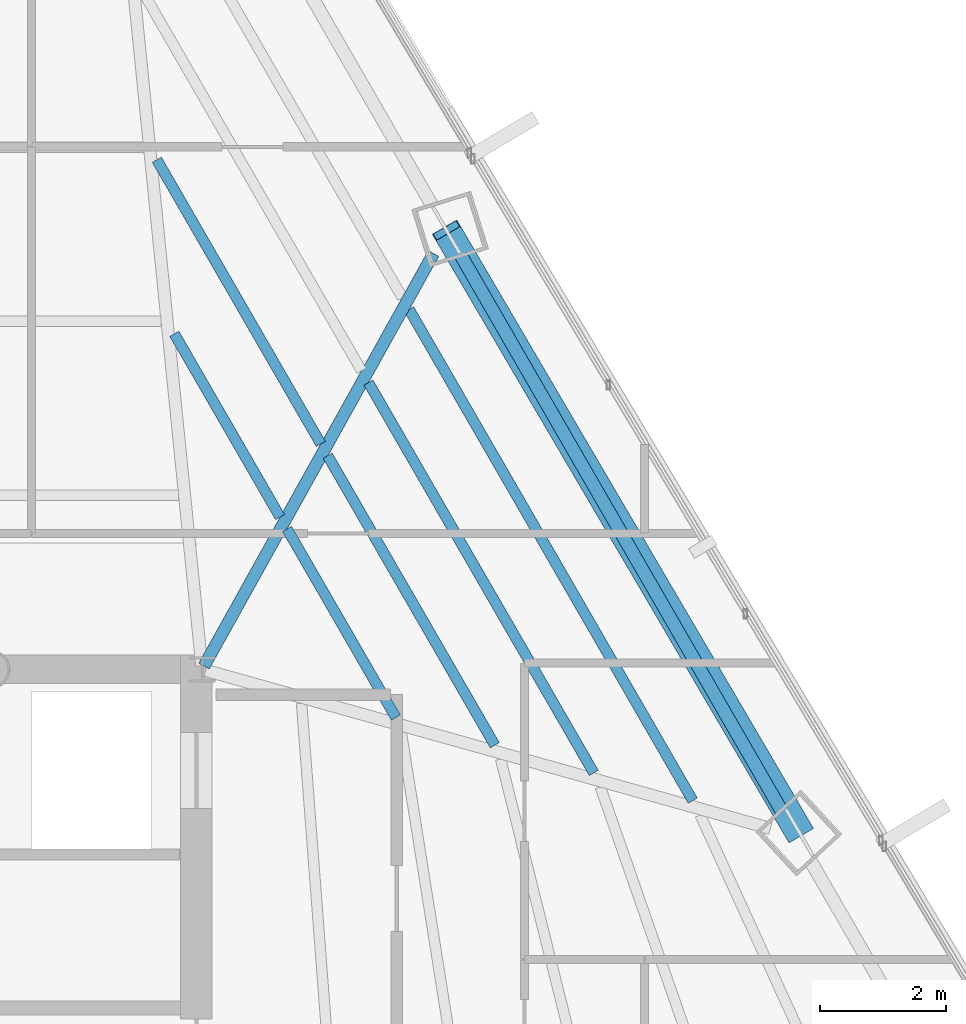
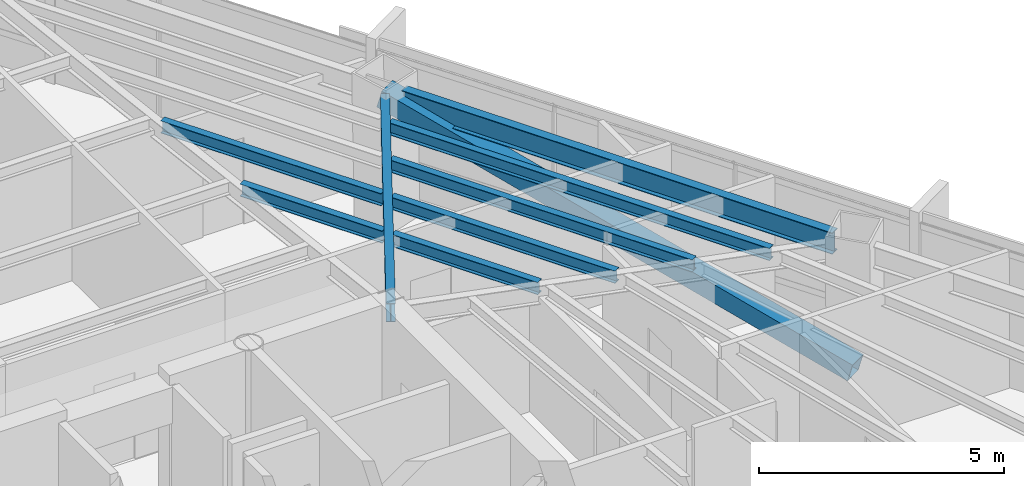
# One storey, part 24 of 41: 8 beams, 1 member.
"""IFC4 building model written with IfcOpenShell, lengths in metres."""

from ifc_helpers import new_model, si_unit, direction, frame, origin, origin_2d, place, context, subcontext, project, spatial, hollow_rectangle, i_section, extrude, source, transform, mapped, material, material_profile, profile_set, type_object, type_shapes, element, save


model = new_model("IFC4")

# Units and contexts
model_context = context("Model", 3, precision=1e-05, world=origin(), true_north=direction((0.0, 1.0)))
body_context = subcontext(model_context, "Body", "Model", "MODEL_VIEW")
ifc_project = project(units=[si_unit("LENGTHUNIT", "METRE"), si_unit("AREAUNIT", "SQUARE_METRE"), si_unit("VOLUMEUNIT", "CUBIC_METRE"), si_unit("PLANEANGLEUNIT", "RADIAN"), si_unit("MASSUNIT", "GRAM", prefix="KILO")], contexts=[model_context])

# Site, building, storey
site_placement = place(None, origin())
site = spatial("IfcSite", under=ifc_project, at=site_placement, CompositionType="ELEMENT")
building_placement = place(site_placement, origin())
building = spatial("IfcBuilding", under=site, at=building_placement, Name="Caelisora Broadcast Tower", CompositionType="ELEMENT")
storey_placement = place(building_placement, frame((0.0, 0.0, 169.449951171875)))
storey = spatial("IfcBuildingStorey", under=building, at=storey_placement, Name="L44", CompositionType="ELEMENT", Elevation=169.449951171875)

# Beams
ifc_material_1 = material(Name="Steel Grade 350 (AS/NZS 3679.1)", Category="steel")
ifc_material_profile_1 = material_profile(ifc_material_1, i_section(OverallWidth=0.208984375, OverallDepth=0.532958984375, WebThickness=0.01025390625, FlangeThickness=0.015625, at=origin_2d()), Name="Steel Grade 350 (AS/NZS 3679.1)")
ifc_profile_set_1 = profile_set([ifc_material_profile_1], Name="Steel Grade 350 (AS/NZS 3679.1)")
beam_type_1 = type_object("IfcBeamType", Name="PG05", PredefinedType="BEAM", material=ifc_profile_set_1)
shared_shape_1 = source(origin(), body_context, "Body", "SweptSolid", [
    extrude(i_section(OverallWidth=0.208984375, OverallDepth=0.532958984375, WebThickness=0.01025390625, FlangeThickness=0.015625, at=origin_2d()), origin(), (0.0, 0.0, 1.0), 10.141357421875),
])
type_shapes(beam_type_1, [shared_shape_1])
beam_1_placement = place(storey_placement, frame((54.667236328125, 27.767578125, 3.133544921875), z_axis=(-0.500007247611, 0.866021219334, 0.0), x_axis=(-0.866021219334, -0.500007247611, 0.0)))
element("IfcBeam", 1, at=beam_1_placement, inside=storey, type_object=beam_type_1, Name="L44 beam PG05", PredefinedType="BEAM", context=body_context, shape_type="MappedRepresentation", body=[
    mapped(shared_shape_1, transform((0.0, 0.0, 0.0), scale=1.0)),
])
ifc_material_profile_2 = material_profile(ifc_material_1, i_section(OverallWidth=0.19091796875, OverallDepth=0.46044921875, WebThickness=0.010009765625, FlangeThickness=0.01611328125, at=origin_2d()), Name="Steel Grade 350 (AS/NZS 3679.1)")
ifc_profile_set_2 = profile_set([ifc_material_profile_2], Name="Steel Grade 350 (AS/NZS 3679.1)")
beam_type_2 = type_object("IfcBeamType", Name="PG06", PredefinedType="BEAM", material=ifc_profile_set_2)
shared_shape_2 = source(origin(), body_context, "Body", "SweptSolid", [
    extrude(i_section(OverallWidth=0.19091796875, OverallDepth=0.46044921875, WebThickness=0.010009765625, FlangeThickness=0.01611328125, at=origin_2d()), origin(), (0.0, 0.0, 1.0), 7.471923828125),
])
type_shapes(beam_type_2, [shared_shape_2])
beam_2_placement = place(storey_placement, frame((45.529296875, 30.052490234375, 3.169921875), z_axis=(0.486222634732, 0.873834966956, 0.0), x_axis=(-0.873834966956, 0.486222634732, 0.0)))
element("IfcBeam", 2, at=beam_2_placement, inside=storey, type_object=beam_type_2, Name="L44 beam PG06", PredefinedType="BEAM", context=body_context, shape_type="MappedRepresentation", body=[
    mapped(shared_shape_2, transform((0.0, 0.0, 0.0), scale=1.0)),
])
ifc_material_profile_3 = material_profile(ifc_material_1, i_section(OverallWidth=0.166015625, OverallDepth=0.30712890625, WebThickness=0.006591796875, FlangeThickness=0.01171875, at=origin_2d()), Name="Steel Grade 350 (AS/NZS 3679.1)")
ifc_profile_set_3 = profile_set([ifc_material_profile_3], Name="Steel Grade 350 (AS/NZS 3679.1)")
beam_type_3 = type_object("IfcBeamType", Name="SB03", PredefinedType="JOIST", material=ifc_profile_set_3)
shared_shape_3 = source(origin(), body_context, "Body", "SweptSolid", [
    extrude(i_section(OverallWidth=0.166015625, OverallDepth=0.30712890625, WebThickness=0.006591796875, FlangeThickness=0.01171875, at=origin_2d()), origin(), (0.0, 0.0, 1.0), 3.349365234375),
])
beam_3_placement = place(storey_placement, frame((46.734619140625, 32.409912109375, 3.246337890625), z_axis=(-0.499972744263, 0.866041139319, 0.0), x_axis=(-0.866041139319, -0.499972744263, 0.0)))
element("IfcBeam", 3, at=beam_3_placement, inside=storey, type_object=beam_type_3, Name="L44 beam SB03", PredefinedType="JOIST", context=body_context, shape_type="MappedRepresentation", body=[
    mapped(shared_shape_3, transform((0.0, 0.0, 0.0), scale=1.0)),
])
shared_shape_4 = source(origin(), body_context, "Body", "SweptSolid", [
    extrude(i_section(OverallWidth=0.166015625, OverallDepth=0.30712890625, WebThickness=0.006591796875, FlangeThickness=0.01171875, at=origin_2d()), origin(), (0.0, 0.0, 1.0), 5.19287109375),
])
beam_4_placement = place(storey_placement, frame((47.379150390625, 33.568115234375, 3.246337890625), z_axis=(-0.500007335828, 0.866021168401, 0.0), x_axis=(-0.866021168401, -0.500007335828, 0.0)))
element("IfcBeam", 4, at=beam_4_placement, inside=storey, type_object=beam_type_3, Name="L44 beam SB03", PredefinedType="JOIST", context=body_context, shape_type="MappedRepresentation", body=[
    mapped(shared_shape_4, transform((0.0, 0.0, 0.0), scale=1.0)),
])
shared_shape_5 = source(origin(), body_context, "Body", "SweptSolid", [
    extrude(i_section(OverallWidth=0.166015625, OverallDepth=0.30712890625, WebThickness=0.006591796875, FlangeThickness=0.01171875, at=origin_2d()), origin(), (0.0, 0.0, 1.0), 3.4453125),
])
beam_5_placement = place(storey_placement, frame((48.565673828125, 29.23876953125, 3.246337890625), z_axis=(-0.500010754882, 0.866019194361, 0.0), x_axis=(-0.866019194361, -0.500010754882, 0.0)))
element("IfcBeam", 5, at=beam_5_placement, inside=storey, type_object=beam_type_3, Name="L44 beam SB03", PredefinedType="JOIST", context=body_context, shape_type="MappedRepresentation", body=[
    mapped(shared_shape_5, transform((0.0, 0.0, 0.0), scale=1.0)),
])
shared_shape_6 = source(origin(), body_context, "Body", "SweptSolid", [
    extrude(i_section(OverallWidth=0.166015625, OverallDepth=0.30712890625, WebThickness=0.006591796875, FlangeThickness=0.01171875, at=origin_2d()), origin(), (0.0, 0.0, 1.0), 5.2890625),
])
beam_6_placement = place(storey_placement, frame((50.1318359375, 28.80029296875, 3.246337890625), z_axis=(-0.500011480085, 0.866018775653, 0.0), x_axis=(-0.866018775653, -0.500011480085, 0.0)))
element("IfcBeam", 6, at=beam_6_placement, inside=storey, type_object=beam_type_3, Name="L44 beam SB03", PredefinedType="JOIST", context=body_context, shape_type="MappedRepresentation", body=[
    mapped(shared_shape_6, transform((0.0, 0.0, 0.0), scale=1.0)),
])
shared_shape_7 = source(origin(), body_context, "Body", "SweptSolid", [
    extrude(i_section(OverallWidth=0.166015625, OverallDepth=0.30712890625, WebThickness=0.006591796875, FlangeThickness=0.01171875, at=origin_2d()), origin(), (0.0, 0.0, 1.0), 7.132568359375),
])
beam_7_placement = place(storey_placement, frame((51.697998046875, 28.36181640625, 3.246337890625), z_axis=(-0.499986158648, 0.866033394945, 0.0), x_axis=(-0.866033394945, -0.499986158648, 0.0)))
element("IfcBeam", 7, at=beam_7_placement, inside=storey, type_object=beam_type_3, Name="L44 beam SB03", PredefinedType="JOIST", context=body_context, shape_type="MappedRepresentation", body=[
    mapped(shared_shape_7, transform((0.0, 0.0, 0.0), scale=1.0)),
])
shared_shape_8 = source(origin(), body_context, "Body", "SweptSolid", [
    extrude(i_section(OverallWidth=0.166015625, OverallDepth=0.30712890625, WebThickness=0.006591796875, FlangeThickness=0.01171875, at=origin_2d()), origin(), (0.0, 0.0, 1.0), 8.975830078125),
])
type_shapes(beam_type_3, [shared_shape_3, shared_shape_4, shared_shape_5, shared_shape_6, shared_shape_7, shared_shape_8])
beam_8_placement = place(storey_placement, frame((53.26416015625, 27.923583984375, 3.246337890625), z_axis=(-0.500015193347, 0.866016631724, 0.0), x_axis=(-0.866016631724, -0.500015193347, 0.0)))
element("IfcBeam", 8, at=beam_8_placement, inside=storey, type_object=beam_type_3, Name="L44 beam SB03", PredefinedType="JOIST", context=body_context, shape_type="MappedRepresentation", body=[
    mapped(shared_shape_8, transform((0.0, 0.0, 0.0), scale=1.0)),
])

# Member
ifc_material_2 = material(Name="Steel Grade 450 (AS/NZS 1163 C450L0)", Category="steel")
ifc_material_profile_4 = material_profile(ifc_material_2, hollow_rectangle(XDim=0.449951171875, YDim=0.449951171875, WallThickness=0.01611328125, at=origin_2d()), Name="Steel Grade 450 (AS/NZS 1163 C450L0)")
ifc_profile_set_4 = profile_set([ifc_material_profile_4], Name="Steel Grade 450 (AS/NZS 1163 C450L0)")
member_type = type_object("IfcMemberType", Name="BR03", PredefinedType="BRACE", material=ifc_profile_set_4)
shared_shape_9 = source(origin(), body_context, "Body", "SweptSolid", [
    extrude(hollow_rectangle(XDim=0.449951171875, YDim=0.449951171875, WallThickness=0.01611328125, at=origin_2d()), origin(), (0.0, 0.0, 1.0), 11.4453125),
])
type_shapes(member_type, [shared_shape_9])
member_placement = place(storey_placement, frame((54.95166015625, 27.419677734375, 0.10009765625), z_axis=(-0.487986547231, 0.832565586615, 0.262113856379), x_axis=(-0.862729226592, -0.505666176033, 0.0)))
element("IfcMember", 9, at=member_placement, inside=storey, type_object=member_type, Name="L44 perimeter brace BR03", PredefinedType="BRACE", context=body_context, shape_type="MappedRepresentation", body=[
    mapped(shared_shape_9, transform((0.0, 0.0, 0.0), scale=1.0)),
])

save(model, "model.ifc")
